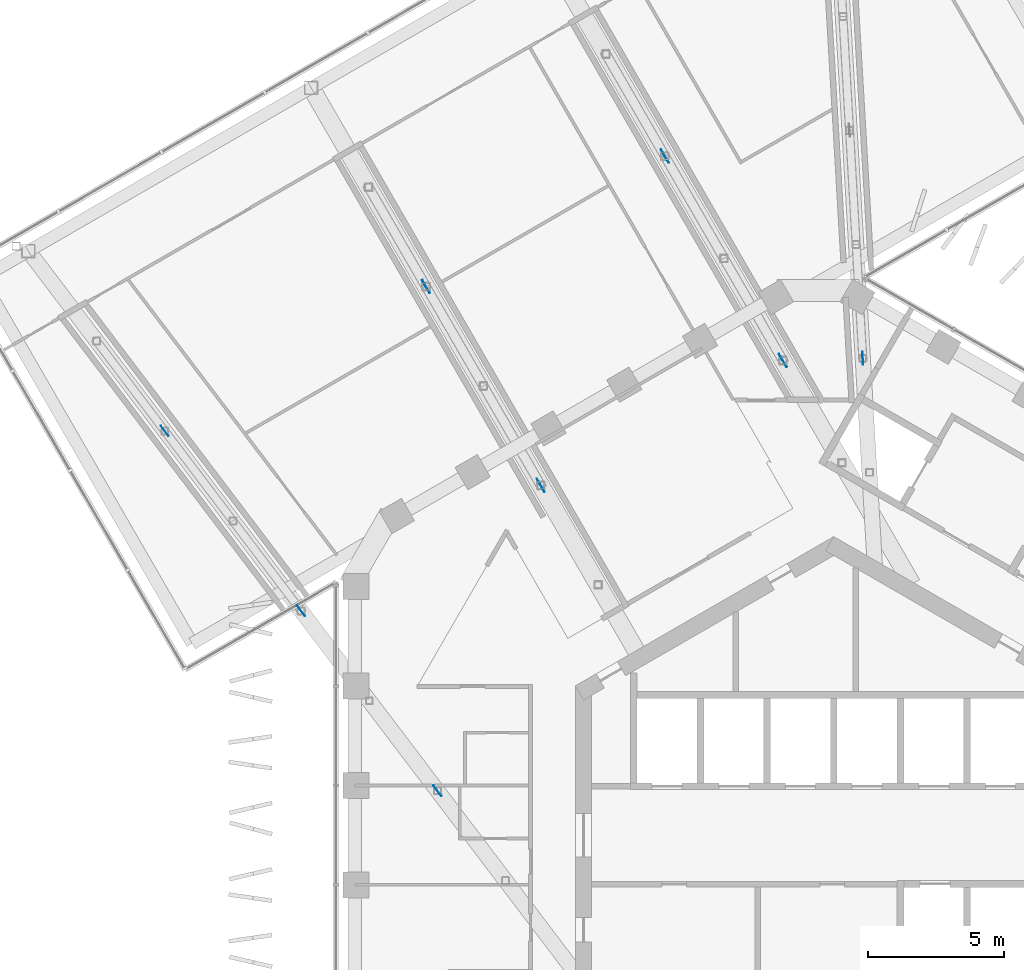
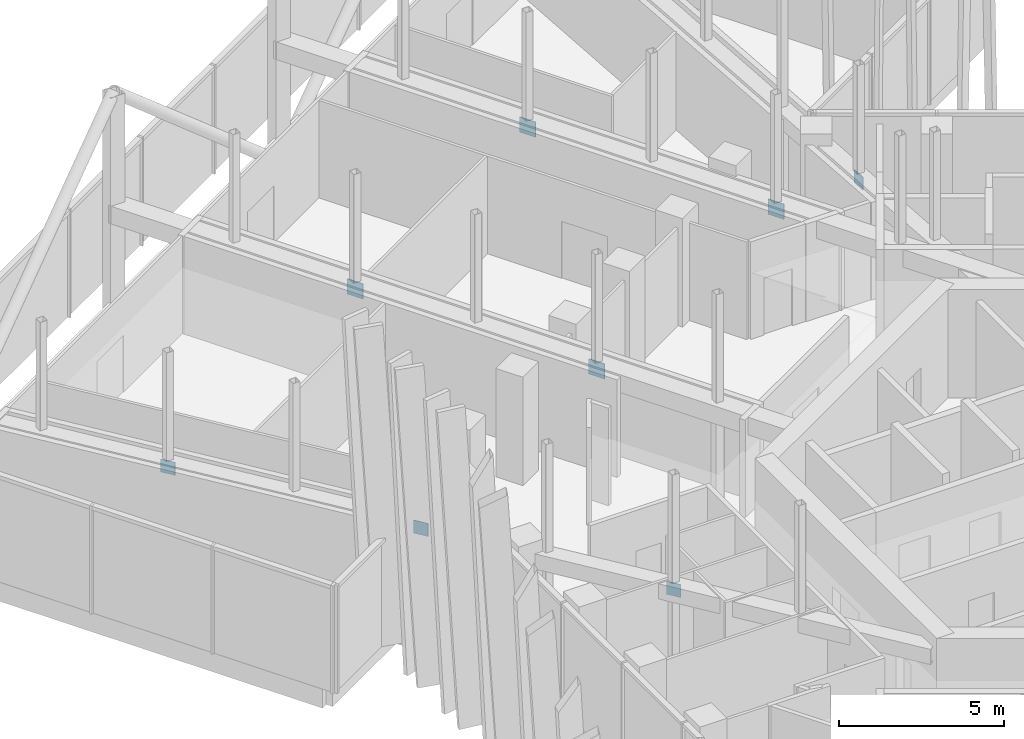
# One storey, part 23 of 29: 8 discrete accessories.
"""IFC4 building model written with IfcOpenShell, lengths in metres."""

from ifc_helpers import new_model, si_unit, direction, frame, origin, origin_2d, place, context, subcontext, project, spatial, rectangle, extrude, material, layer, layer_set, type_object, element, save


model = new_model("IFC4")

# Units and contexts
model_context = context("Model", 3, precision=1e-05, world=origin(), true_north=direction((0.0, 1.0)))
body_context = subcontext(model_context, "Body", "Model", "MODEL_VIEW")
ifc_project = project(units=[si_unit("LENGTHUNIT", "METRE"), si_unit("AREAUNIT", "SQUARE_METRE"), si_unit("VOLUMEUNIT", "CUBIC_METRE"), si_unit("PLANEANGLEUNIT", "RADIAN"), si_unit("MASSUNIT", "GRAM", prefix="KILO")], contexts=[model_context])

# Site, building, storey
site_placement = place(None, origin())
site = spatial("IfcSite", under=ifc_project, at=site_placement, CompositionType="ELEMENT")
building_placement = place(site_placement, origin())
building = spatial("IfcBuilding", under=site, at=building_placement, Name="Ayvan Gate Tower", CompositionType="ELEMENT")
storey_placement = place(building_placement, frame((0.0, 0.0, 186.699951171875)))
storey = spatial("IfcBuildingStorey", under=building, at=storey_placement, Name="L50", CompositionType="ELEMENT", Elevation=186.699951171875)

# Discrete accessories
ifc_material = material(Name="Steel S460ML", Category="steel")
ifc_layer_1 = layer(ifc_material, 0.02001953125)
ifc_layer_set_1 = layer_set([ifc_layer_1], Name="Steel S460ML")
discrete_accessory_type_1 = type_object("IfcDiscreteAccessoryType", Name="Gusset plate 20 mm", PredefinedType="BRACKET", material=ifc_layer_set_1)
for number, where, z_axis, x_axis, name in (
    (1, (1.06494140625, 17.52197265625, 3.03515625), (0.0, 0.0, 1.0), (-0.058020538941, 0.998315389574, 0.0), "Gusset plate SBT4-1-D-2"),
    (2, (-14.5673828125, 1.6328125, 3.03515625), (0.0, 0.0, 1.0), (-0.604022020427, 0.796967627221, 0.0), "Gusset plate SBT4-4-D-2"),
    (3, (-19.577392578125, 8.2431640625, 3.03515625), (0.0, 0.0, 1.0), (-0.604022020427, 0.796967627221, 0.0), "Gusset plate SBT4-4-D-4"),
    (4, (-24.587158203125, 14.853515625, 3.03515625), (0.0, 0.0, 1.0), (-0.604022020427, 0.796967627221, 0.0), "Gusset plate SBT4-4-D-6"),
):
    element("IfcDiscreteAccessory", number, at=place(storey_placement, frame(where, z_axis=z_axis, x_axis=x_axis)), inside=storey, type_object=discrete_accessory_type_1, Name=name, PredefinedType="BRACKET", context=body_context, shape_type="SweptSolid", body=[
        extrude(rectangle(XDim=0.47998046875, YDim=0.02001953125, at=origin_2d()), origin(), (0.0, 0.0, 1.0), 0.47998046875),
    ])
ifc_layer_2 = layer(ifc_material, 0.030029296875)
ifc_layer_set_2 = layer_set([ifc_layer_2], Name="Steel S460ML")
discrete_accessory_type_2 = type_object("IfcDiscreteAccessoryType", Name="Gusset plate 30 mm", PredefinedType="BRACKET", material=ifc_layer_set_2)
for number, where, z_axis, x_axis, name in (
    (5, (-1.870849609375, 17.4404296875, 2.9951171875), (0.0, 0.0, 1.0), (-0.5, 0.866025403784, 0.0), "Gusset plate SBT4-2-D-2"),
    (6, (-6.207763671875, 24.951904296875, 2.9951171875), (0.0, 0.0, 1.0), (-0.5, 0.866025403784, 0.0), "Gusset plate SBT4-2-D-4"),
    (7, (-10.77001953125, 12.8544921875, 2.9951171875), (0.0, 0.0, 1.0), (-0.5, 0.866025403784, 0.0), "Gusset plate SBT4-3-D-2"),
    (8, (-14.9873046875, 20.158935546875, 2.9951171875), (0.0, 0.0, 1.0), (-0.5, 0.866025403784, 0.0), "Gusset plate SBT4-3-D-4"),
):
    element("IfcDiscreteAccessory", number, at=place(storey_placement, frame(where, z_axis=z_axis, x_axis=x_axis)), inside=storey, type_object=discrete_accessory_type_2, Name=name, PredefinedType="BRACKET", context=body_context, shape_type="SweptSolid", body=[
        extrude(rectangle(XDim=0.56005859375, YDim=0.030029296875, at=origin_2d()), origin(), (0.0, 0.0, 1.0), 0.56005859375),
    ])

save(model, "model.ifc")
